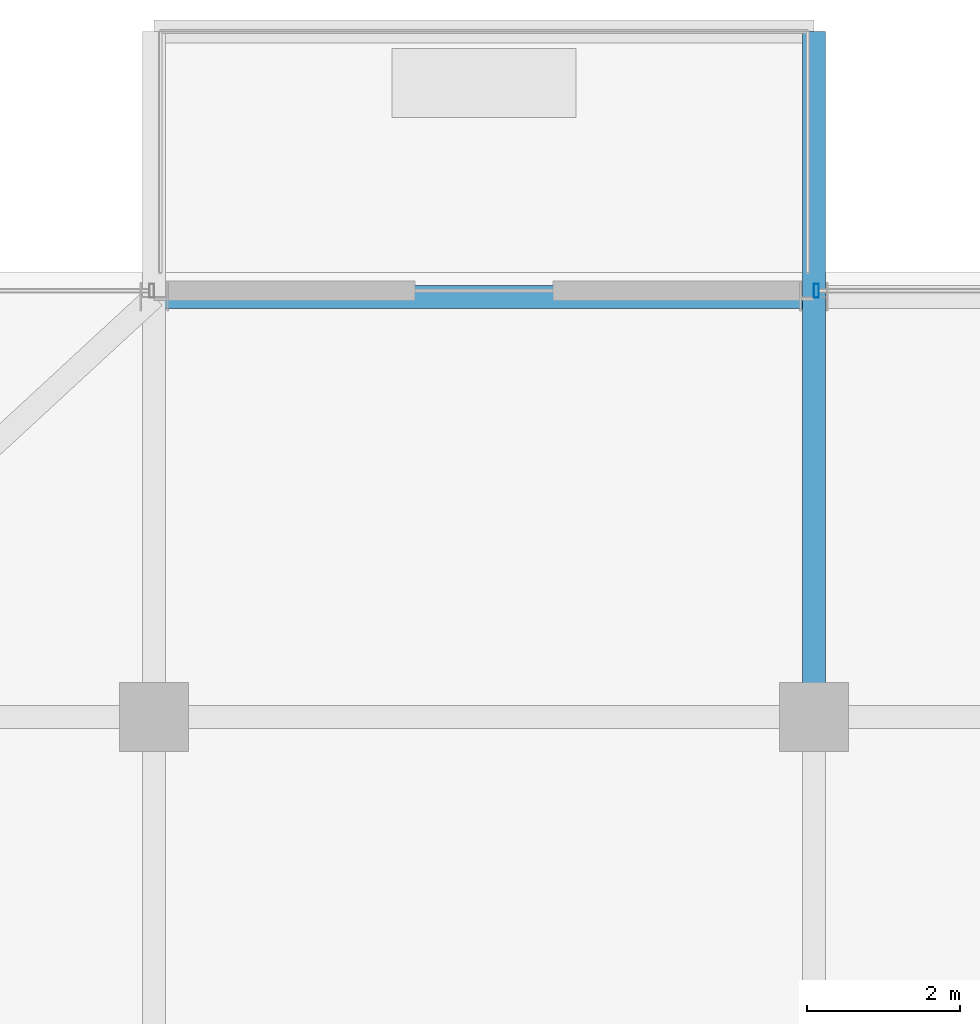
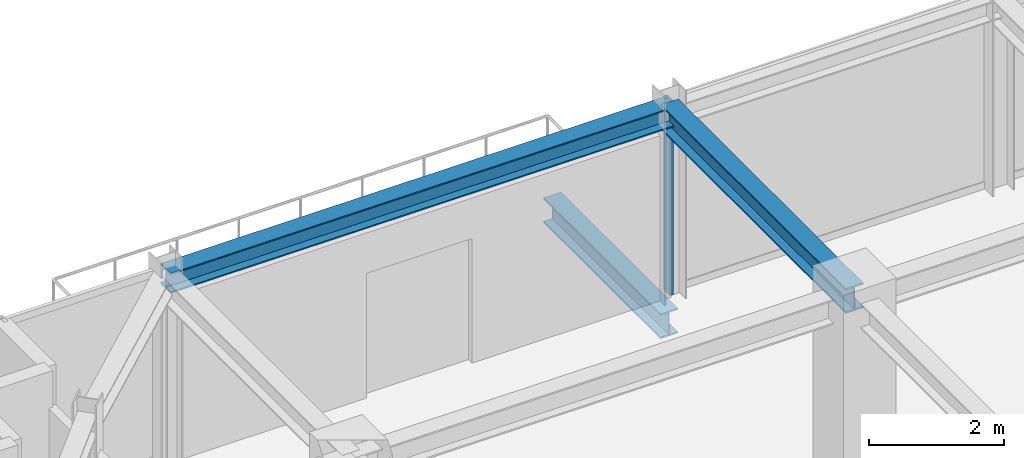
# One storey, part 18 of 31: 3 beams, 1 member, 1 element without a shape of its own.
"""IFC4 building model written with IfcOpenShell, lengths in metres."""

import ifcopenshell
import ifcopenshell.guid

model = None  # the IFC model being written
_history = None  # IfcOwnerHistory: only IFC2X3 demands one
_inside = {}  # id of a spatial element -> (the spatial element, [elements in it])
_under = {}  # id of a project, library or spatial element -> (it, [spatial elements below it])
_declared = {}  # id of a project -> (the project, [libraries it declares])
_typed = {}  # id of a type object -> (the type object, [elements of that type])
_made_of = {}  # id of a material, layer set ... -> (it, [elements and type objects made of it])


def new_model(schema):
    """Start an empty IFC model of exactly this schema.

    Asked for "IFC4X3", IfcOpenShell would pick the latest addendum, in which some entities
    have other attributes; the version numbers below select the first issue.
    IFC2X3 requires an IfcOwnerHistory on every rooted entity: one is made here for all.
    """
    global model, _history
    if schema == "IFC4X3":
        model = ifcopenshell.file(schema_version=(4, 3, 0, 0))
    else:
        model = ifcopenshell.file(schema=schema)
    _inside.clear()
    _under.clear()
    _declared.clear()
    _typed.clear()
    _made_of.clear()
    _history = None
    if model.schema == "IFC2X3":
        org = make("IfcOrganization", Name="unknown")
        user = make(
            "IfcPersonAndOrganization",
            ThePerson=make("IfcPerson", FamilyName="unknown"),
            TheOrganization=org,
        )
        app = make(
            "IfcApplication",
            ApplicationDeveloper=org,
            Version="unknown",
            ApplicationFullName="unknown",
            ApplicationIdentifier="unknown",
        )
        _history = make(
            "IfcOwnerHistory",
            OwningUser=user,
            OwningApplication=app,
            ChangeAction="ADDED",
            CreationDate=0,
        )
    return model


def make(cls, **values):
    """One entity of the class cls with the attributes given. An attribute that is None is left unset."""
    return model.create_entity(
        cls, **{name: value for name, value in values.items() if value is not None}
    )


def rooted(cls, **values):
    """An entity with a GlobalId (a new one), such as an element, a storey or a relation."""
    return make(cls, GlobalId=ifcopenshell.guid.new(), OwnerHistory=_history, **values)


def si_unit(unit_type, name, prefix=None):
    """IfcSIUnit, for example si_unit("LENGTHUNIT", "METRE", prefix="MILLI")."""
    return make("IfcSIUnit", UnitType=unit_type, Prefix=prefix, Name=name)


def assignment(units):
    """IfcUnitAssignment: the units of a project."""
    return None if units is None else make("IfcUnitAssignment", Units=units)


def point(xyz):
    """IfcCartesianPoint."""
    return None if xyz is None else make("IfcCartesianPoint", Coordinates=xyz)


def direction(xyz):
    """IfcDirection."""
    return None if xyz is None else make("IfcDirection", DirectionRatios=xyz)


def frame(location, z_axis=None, x_axis=None):
    """IfcAxis2Placement3D, a coordinate frame: its origin and axes. An axis left out is left unset."""
    return make(
        "IfcAxis2Placement3D",
        Location=point(location),
        Axis=direction(z_axis),
        RefDirection=direction(x_axis),
    )


def frame_2d(location, x_axis=None):
    """IfcAxis2Placement2D, a coordinate frame in the plane: its origin and x axis."""
    return make(
        "IfcAxis2Placement2D", Location=point(location), RefDirection=direction(x_axis)
    )


def origin():
    """The frame at (0, 0, 0) with its axes left unset."""
    return frame((0.0, 0.0, 0.0))


def origin_2d():
    """The frame at (0, 0) in the plane with its x axis left unset."""
    return frame_2d((0.0, 0.0))


def place(relative_to, where):
    """IfcLocalPlacement: puts the frame where relative to a parent placement (None: the world)."""
    return make(
        "IfcLocalPlacement", PlacementRelTo=relative_to, RelativePlacement=where
    )


def context(
    kind, dimensions, precision=None, world=None, true_north=None, identifier=None
):
    """IfcGeometricRepresentationContext, for example the 3D "Model" context."""
    return make(
        "IfcGeometricRepresentationContext",
        ContextIdentifier=identifier,
        ContextType=kind,
        CoordinateSpaceDimension=dimensions,
        Precision=precision,
        WorldCoordinateSystem=world,
        TrueNorth=true_north,
    )


def subcontext(parent, identifier, kind, view, scale=None):
    """IfcGeometricRepresentationSubContext, for example "Body" below "Model"."""
    return make(
        "IfcGeometricRepresentationSubContext",
        ContextIdentifier=identifier,
        ContextType=kind,
        ParentContext=parent,
        TargetScale=scale,
        TargetView=view,
    )


def project(units=None, contexts=None):
    """IfcProject with its units and contexts."""
    return rooted(
        "IfcProject",
        Name="project",
        RepresentationContexts=contexts,
        UnitsInContext=assignment(units),
    )


def spatial(cls, under=None, at=None, **own):
    """A site, building, storey or space (cls), placed at a placement, below another one or the project."""
    s = rooted(cls, ObjectPlacement=at, **own)
    if under is not None:
        _under.setdefault(under.id(), (under, []))[1].append(s)
    return s


def profile(cls, at=None, kind="AREA", **sizes):
    """A parametric profile (cls). Its sizes go by their IFC names, for example OverallWidth=200.0."""
    return make(cls, ProfileType=kind, Position=at, **sizes)


def hollow_rectangle(**sizes):
    """IfcRectangleHollowProfileDef."""
    return profile("IfcRectangleHollowProfileDef", **sizes)


def i_section(**sizes):
    """IfcIShapeProfileDef."""
    return profile("IfcIShapeProfileDef", **sizes)


def extrude(swept, where, along, depth):
    """IfcExtrudedAreaSolid: the profile swept, set in the frame where, extruded along a direction by depth."""
    return make(
        "IfcExtrudedAreaSolid",
        SweptArea=swept,
        Position=where,
        ExtrudedDirection=direction(along),
        Depth=depth,
    )


def shape(context_of_items, identifier, shape_type, items):
    """IfcShapeRepresentation: the items that make up one representation, for example the "Body"."""
    return make(
        "IfcShapeRepresentation",
        ContextOfItems=context_of_items,
        RepresentationIdentifier=identifier,
        RepresentationType=shape_type,
        Items=items,
    )


def source(mapping_origin, context_of_items, identifier, shape_type, items):
    """IfcRepresentationMap: a shape defined once, which mapped items show again and again."""
    return make(
        "IfcRepresentationMap",
        MappingOrigin=mapping_origin,
        MappedRepresentation=shape(context_of_items, identifier, shape_type, items),
    )


def transform(
    local_origin,
    x_axis=None,
    y_axis=None,
    z_axis=None,
    scale=None,
    scale2=None,
    scale3=None,
    uniform=True,
):
    """IfcCartesianTransformationOperator3D, or its non-uniform kind. x_axis, y_axis, z_axis: its Axis1, 2, 3."""
    if uniform:
        return make(
            "IfcCartesianTransformationOperator3D",
            Axis1=direction(x_axis),
            Axis2=direction(y_axis),
            LocalOrigin=point(local_origin),
            Scale=scale,
            Axis3=direction(z_axis),
        )
    return make(
        "IfcCartesianTransformationOperator3DnonUniform",
        Axis1=direction(x_axis),
        Axis2=direction(y_axis),
        LocalOrigin=point(local_origin),
        Scale=scale,
        Axis3=direction(z_axis),
        Scale2=scale2,
        Scale3=scale3,
    )


def mapped(mapping_source, mapping_target):
    """IfcMappedItem: shows the shape of a source again, moved by a transform."""
    return make(
        "IfcMappedItem", MappingSource=mapping_source, MappingTarget=mapping_target
    )


def material(Name=None, Category=None):
    """IfcMaterial."""
    return make("IfcMaterial", Name=Name, Category=Category)


def material_profile(
    of_material, cross_section, Name=None, Category=None, Priority=None
):
    """IfcMaterialProfile: a cross section and its material."""
    return make(
        "IfcMaterialProfile",
        Name=Name,
        Material=of_material,
        Profile=cross_section,
        Priority=Priority,
        Category=Category,
    )


def profile_set(profiles, Name=None, composite=None):
    """IfcMaterialProfileSet."""
    return make(
        "IfcMaterialProfileSet",
        Name=Name,
        MaterialProfiles=profiles,
        CompositeProfile=composite,
    )


def made_of(thing, what):
    """Note that an element or type object is made of a material, layer set ...; save() writes the relation."""
    if what is not None:
        _made_of.setdefault(what.id(), (what, []))[1].append(thing)
    return thing


def type_object(cls, material=None, **own):
    """A type object (cls), such as IfcWallType, which elements share."""
    return made_of(rooted(cls, **own), material)


def element(
    cls,
    number,
    at=None,
    inside=None,
    cuts=None,
    type_object=None,
    material=None,
    context=None,
    identifier="Body",
    shape_type=None,
    held_by="IfcProductDefinitionShape",
    body=None,
    shapes=None,
    **own,
):
    """One element of the class cls, such as IfcWall. Its Tag is "e" and its number.

    at: its placement. inside: the storey or other place that contains it. cuts: it is an
    opening in that element (IfcRelVoidsElement). A single representation is given by context,
    identifier, shape_type and body (its items); several are given by shapes. held_by: the class
    of the entity that holds the representations. save() writes the other relations.
    """
    e = rooted(cls, Tag="e%d" % number, ObjectPlacement=at, **own)
    if body is not None:
        shapes = [shape(context, identifier, shape_type, body)]
    if shapes is not None:
        e.Representation = make(held_by, Representations=shapes)
    if inside is not None:
        _inside.setdefault(inside.id(), (inside, []))[1].append(e)
    if cuts is not None:
        rooted(
            "IfcRelVoidsElement", RelatingBuildingElement=cuts, RelatedOpeningElement=e
        )
    if type_object is not None:
        _typed.setdefault(type_object.id(), (type_object, []))[1].append(e)
    return made_of(e, material)


def aggregate(whole, parts):
    """IfcRelAggregates: a whole, such as a stair, and the parts it consists of."""
    return rooted("IfcRelAggregates", RelatingObject=whole, RelatedObjects=parts)


def save(model, path):
    """Write the relations noted so far, then the file.

    IfcRelAggregates (storeys below a building ...), IfcRelContainedInSpatialStructure (elements
    in a storey), IfcRelDefinesByType, IfcRelAssociatesMaterial and IfcRelDeclares: one each for
    every whole, place, type object, material and project.
    """
    for whole, parts in _under.values():
        aggregate(whole, parts)
    for where, things in _inside.values():
        rooted(
            "IfcRelContainedInSpatialStructure",
            RelatedElements=things,
            RelatingStructure=where,
        )
    for kind, things in _typed.values():
        rooted("IfcRelDefinesByType", RelatedObjects=things, RelatingType=kind)
    for what, things in _made_of.values():
        rooted("IfcRelAssociatesMaterial", RelatedObjects=things, RelatingMaterial=what)
    for by, libraries in _declared.values():
        rooted("IfcRelDeclares", RelatingContext=by, RelatedDefinitions=libraries)
    model.write(path)


model = new_model("IFC4")

# Units and contexts
model_context = context("Model", 3, precision=1e-05, world=origin(), true_north=direction((0.0, 1.0)))
body_context = subcontext(model_context, "Body", "Model", "MODEL_VIEW")
ifc_project = project(units=[si_unit("LENGTHUNIT", "METRE"), si_unit("AREAUNIT", "SQUARE_METRE"), si_unit("VOLUMEUNIT", "CUBIC_METRE"), si_unit("PLANEANGLEUNIT", "RADIAN"), si_unit("MASSUNIT", "GRAM", prefix="KILO")], contexts=[model_context])

# Site, building, storey
site_placement = place(None, origin())
site = spatial("IfcSite", under=ifc_project, at=site_placement, CompositionType="ELEMENT")
building_placement = place(site_placement, origin())
building = spatial("IfcBuilding", under=site, at=building_placement, Name="Nahalor Promenade Grand Hotel", CompositionType="ELEMENT")
storey_placement = place(building_placement, frame((0.0, 0.0, 327.14990234375)))
storey = spatial("IfcBuildingStorey", under=building, at=storey_placement, Name="L84", CompositionType="ELEMENT", Elevation=327.14990234375)

# Beams
ifc_material_1 = material(Name="Steel S355JR", Category="steel")
ifc_material_profile_1 = material_profile(ifc_material_1, i_section(OverallWidth=0.3, OverallDepth=0.45, WebThickness=0.014, FlangeThickness=0.026, at=origin_2d()), Name="HEB 450")
ifc_profile_set_1 = profile_set([ifc_material_profile_1], Name="Steel S355JR")
beam_type_1 = type_object("IfcBeamType", Name="Beam-Outrigger-HEB450", PredefinedType="BEAM", material=ifc_profile_set_1)
shared_shape_1 = source(origin(), body_context, "Body", "SweptSolid", [
    extrude(i_section(OverallWidth=0.3, OverallDepth=0.45, WebThickness=0.014, FlangeThickness=0.026, at=origin_2d()), origin(), (0.0, 0.0, 1.0), 3.4599609375),
])
beam_1_placement = place(storey_placement, frame((-8.39990234375, 22.47998046875, -0.5048828125), z_axis=(0.0, 1.0, 0.0), x_axis=(-1.0, 0.0, 0.0)))
element("IfcBeam", 1, at=beam_1_placement, inside=storey, type_object=beam_type_1, Name="BM-L84-BC-01-2", PredefinedType="BEAM", context=body_context, shape_type="MappedRepresentation", body=[
    mapped(shared_shape_1, transform((0.0, 0.0, 0.0), scale=1.0)),
])
ifc_material_profile_2 = material_profile(ifc_material_1, i_section(OverallWidth=0.3, OverallDepth=0.45, WebThickness=0.014, FlangeThickness=0.026, at=origin_2d()), Name="HEB 450")
ifc_profile_set_2 = profile_set([ifc_material_profile_2], Name="Steel S355JR")
beam_type_2 = type_object("IfcBeamType", Name="Beam-Girder-HEB450", PredefinedType="BEAM", material=ifc_profile_set_2)
shared_shape_2 = source(origin(), body_context, "Body", "SweptSolid", [
    extrude(i_section(OverallWidth=0.3, OverallDepth=0.45, WebThickness=0.014, FlangeThickness=0.026, at=origin_2d()), origin(), (0.0, 0.0, 1.0), 5.47998046875),
])
beam_2_placement = place(storey_placement, frame((-8.39990234375, 17.0, 3.275146484375), z_axis=(0.0, 1.0, 0.0), x_axis=(-1.0, 0.0, 0.0)))
element("IfcBeam", 2, at=beam_2_placement, inside=storey, type_object=beam_type_2, Name="BM-L84-GY-1-4", PredefinedType="BEAM", context=body_context, shape_type="MappedRepresentation", body=[
    mapped(shared_shape_2, transform((0.0, 0.0, 0.0), scale=1.0)),
])
ifc_material_profile_3 = material_profile(ifc_material_1, i_section(OverallWidth=0.3, OverallDepth=0.36, WebThickness=0.0125, FlangeThickness=0.0225, at=origin_2d()), Name="HEB 360")
ifc_profile_set_3 = profile_set([ifc_material_profile_3], Name="Steel S355JR")
beam_type_3 = type_object("IfcBeamType", Name="Beam-Spandrel-HEB360", PredefinedType="SPANDREL", material=ifc_profile_set_3)
shared_shape_3 = source(origin(), body_context, "Body", "SweptSolid", [
    extrude(i_section(OverallWidth=0.3, OverallDepth=0.36, WebThickness=0.0125, FlangeThickness=0.0225, at=origin_2d()), origin(), (0.0, 0.0, 1.0), 8.60009765625),
])
beam_3_placement = place(storey_placement, frame((-17.0, 22.47998046875, 3.320068359375), z_axis=(1.0, 0.0, 0.0), x_axis=(0.0, 1.0, 0.0)))
element("IfcBeam", 3, at=beam_3_placement, inside=storey, type_object=beam_type_3, Name="BM-L84-SP-N-0", PredefinedType="SPANDREL", context=body_context, shape_type="MappedRepresentation", body=[
    mapped(shared_shape_3, transform((0.0, 0.0, 0.0), scale=1.0)),
])

# Curtain wall, member
ifc_material_2 = material(Name="Anodised Bronze Aluminium EN AW-6063 T6", Category="aluminium")
curtain_wall_type = type_object("IfcCurtainWallType", Name="CW2 Typical Hotel Flush Bronze Unitised Curtain Wall", PredefinedType="USERDEFINED", material=ifc_material_2)
curtain_wall_placement = place(storey_placement, origin())
curtain_wall = element("IfcCurtainWall", 4, at=curtain_wall_placement, inside=storey, type_object=curtain_wall_type, Name="L84 Curtain Wall CW-L84-N-3", ObjectType="UNITISED_CURTAIN_WALL", PredefinedType="USERDEFINED")
ifc_material_profile_4 = material_profile(ifc_material_2, hollow_rectangle(XDim=0.065, YDim=0.18, WallThickness=0.004, at=origin_2d()), Name="CWM 65x180x4")
ifc_profile_set_4 = profile_set([ifc_material_profile_4], Name="Anodised Bronze Aluminium EN AW-6063 T6")
member_type = type_object("IfcMemberType", Name="CWM2 Typical Bronze Mullion 65x180", PredefinedType="MULLION", material=ifc_profile_set_4)
shared_shape_4 = source(origin(), body_context, "Body", "SweptSolid", [
    extrude(hollow_rectangle(XDim=0.065, YDim=0.18, WallThickness=0.004, at=origin_2d()), origin(), (0.0, 0.0, 1.0), 3.5),
])
member_placement = place(storey_placement, frame((-8.367431640625, 22.56005859375, 0.0), z_axis=(0.0, 0.0, 1.0), x_axis=(1.0, 0.0, 0.0)))
member = element("IfcMember", 5, at=member_placement, type_object=member_type, Name="CW-L84-N-3 Mullion 0", PredefinedType="MULLION", context=body_context, shape_type="MappedRepresentation", body=[
    mapped(shared_shape_4, transform((0.0, 0.0, 0.0), scale=1.0)),
])
aggregate(curtain_wall, [member])

save(model, "model.ifc")
